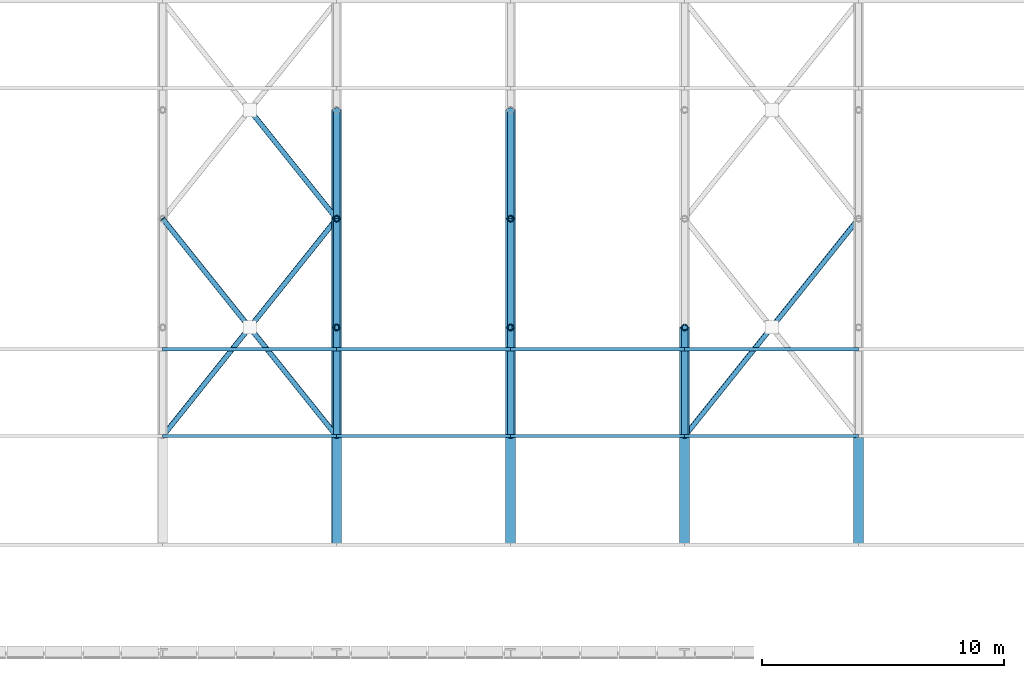
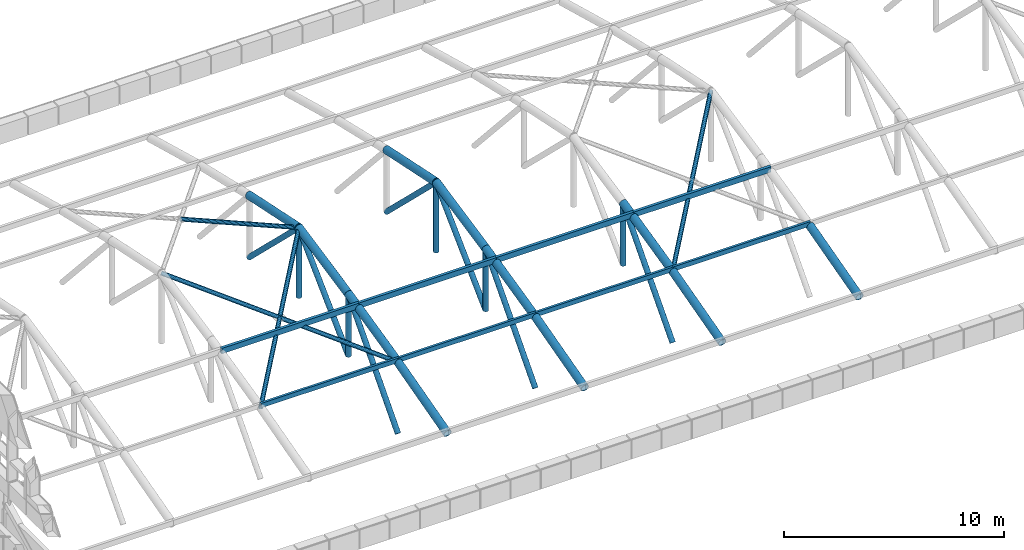
# One storey, part 27 of 96: 36 members.
"""IFC4 building model written with IfcOpenShell, lengths in metres."""

from ifc_helpers import new_model, si_unit, direction, frame, origin, origin_2d, place, context, subcontext, project, spatial, hollow_rectangle, hollow_circle, extrude, material, material_profile, profile_set, type_object, element, save


model = new_model("IFC4")

# Units and contexts
model_context = context("Model", 3, precision=1e-05, world=origin(), true_north=direction((0.0, 1.0)))
body_context = subcontext(model_context, "Body", "Model", "MODEL_VIEW")
ifc_project = project(units=[si_unit("LENGTHUNIT", "METRE"), si_unit("AREAUNIT", "SQUARE_METRE"), si_unit("VOLUMEUNIT", "CUBIC_METRE"), si_unit("PLANEANGLEUNIT", "RADIAN"), si_unit("MASSUNIT", "GRAM", prefix="KILO")], contexts=[model_context])

# Site, building, storey
site_placement = place(None, origin())
site = spatial("IfcSite", under=ifc_project, at=site_placement, CompositionType="ELEMENT")
building_placement = place(site_placement, origin())
building = spatial("IfcBuilding", under=site, at=building_placement, Name="Yarey Park Central Fire Station", CompositionType="ELEMENT")
storey_placement = place(building_placement, frame((0.0, 0.0, 14.39990234375)))
storey = spatial("IfcBuildingStorey", under=building, at=storey_placement, Name="L04", CompositionType="ELEMENT", Elevation=14.39990234375)

# Members
ifc_material = material(Name="Steel ASTM A500 Gr. C", Category="steel")
ifc_material_profile_1 = material_profile(ifc_material, hollow_circle(Radius=0.109619140625, WallThickness=0.010009765625, at=origin_2d()), Name="CHS 219.1x10")
ifc_profile_set_1 = profile_set([ifc_material_profile_1], Name="Steel ASTM A500 Gr. C")
member_type_1 = type_object("IfcMemberType", Name="STR_BRC_CHS219", PredefinedType="BRACE", material=ifc_profile_set_1)
member_1_placement = place(storey_placement, frame((72.0, 66.60009765625, 1.940185546875), z_axis=(0.615531741105, 0.769419894344, 0.170627377286), x_axis=(-0.780870876022, 0.624692464322, 0.0)))
element("IfcMember", 1, at=member_1_placement, inside=storey, type_object=member_type_1, Name="XBR_ARCH_B03_66_1", PredefinedType="BRACE", context=body_context, shape_type="SweptSolid", body=[
    extrude(hollow_circle(Radius=0.109619140625, WallThickness=0.010009765625, at=origin_2d()), origin(), (0.0, 0.0, 1.0), 11.697021484375),
])
member_2_placement = place(storey_placement, frame((79.199951171875, 66.60009765625, 1.940185546875), z_axis=(-0.615520968904, 0.76943251942, 0.170609304843), x_axis=(-0.780881208953, -0.624679547852, 0.0)))
element("IfcMember", 2, at=member_2_placement, inside=storey, type_object=member_type_1, Name="XBR_ARCH_B03_66_2A", PredefinedType="BRACE", context=body_context, shape_type="SweptSolid", body=[
    extrude(hollow_circle(Radius=0.109619140625, WallThickness=0.010009765625, at=origin_2d()), origin(), (0.0, 0.0, 1.0), 5.848388671875),
])
member_3_placement = place(storey_placement, frame((75.60009765625, 71.10009765625, 2.93798828125), z_axis=(-0.615542512582, 0.76940726922, 0.170645449033), x_axis=(-0.780860543151, -0.624705380279, 0.0)))
element("IfcMember", 3, at=member_3_placement, inside=storey, type_object=member_type_1, Name="XBR_ARCH_B03_66_2B", PredefinedType="BRACE", context=body_context, shape_type="SweptSolid", body=[
    extrude(hollow_circle(Radius=0.109619140625, WallThickness=0.010009765625, at=origin_2d()), origin(), (0.0, 0.0, 1.0), 5.8486328125),
])
member_4_placement = place(storey_placement, frame((79.199951171875, 75.60009765625, 3.93603515625), z_axis=(-0.615516584686, 0.769427038924, -0.17064983372), x_axis=(-0.780881208953, -0.624679547852, 0.0)))
element("IfcMember", 4, at=member_4_placement, inside=storey, type_object=member_type_1, Name="XBR_ARCH_B03_75_2A", PredefinedType="BRACE", context=body_context, shape_type="SweptSolid", body=[
    extrude(hollow_circle(Radius=0.109619140625, WallThickness=0.010009765625, at=origin_2d()), origin(), (0.0, 0.0, 1.0), 5.848388671875),
])
member_5_placement = place(storey_placement, frame((93.60009765625, 66.60009765625, 1.940185546875), z_axis=(0.615531741105, 0.769419894344, 0.170627377286), x_axis=(-0.780870876022, 0.624692464322, 0.0)))
element("IfcMember", 5, at=member_5_placement, inside=storey, type_object=member_type_1, Name="XBR_ARCH_B06_66_1", PredefinedType="BRACE", context=body_context, shape_type="SweptSolid", body=[
    extrude(hollow_circle(Radius=0.109619140625, WallThickness=0.010009765625, at=origin_2d()), origin(), (0.0, 0.0, 1.0), 11.697021484375),
])
ifc_material_profile_2 = material_profile(ifc_material, hollow_circle(Radius=0.203125, WallThickness=0.01611328125, at=origin_2d()), Name="CHS 406.4x16")
ifc_profile_set_2 = profile_set([ifc_material_profile_2], Name="Steel ASTM A500 Gr. C")
member_type_2 = type_object("IfcMemberType", Name="STR_CHORD_CHS406", PredefinedType="CHORD", material=ifc_profile_set_2)
member_6_placement = place(storey_placement, frame((79.199951171875, 62.10009765625, 0.717529296875), z_axis=(0.0, 0.965014687101, 0.262195830783), x_axis=(-1.0, 0.0, 0.0)))
element("IfcMember", 6, at=member_6_placement, inside=storey, type_object=member_type_2, Name="Arched Roof Truss ART_04 Top Chord 2", PredefinedType="CHORD", context=body_context, shape_type="SweptSolid", body=[
    extrude(hollow_circle(Radius=0.203125, WallThickness=0.01611328125, at=origin_2d()), origin(), (0.0, 0.0, 1.0), 4.6630859375),
])
member_7_placement = place(storey_placement, frame((79.199951171875, 66.60009765625, 1.940185546875), z_axis=(0.0, 0.97355760432, 0.228441657915), x_axis=(-1.0, 0.0, 0.0)))
element("IfcMember", 7, at=member_7_placement, inside=storey, type_object=member_type_2, Name="Arched Roof Truss ART_04 Top Chord 3", PredefinedType="CHORD", context=body_context, shape_type="SweptSolid", body=[
    extrude(hollow_circle(Radius=0.203125, WallThickness=0.01611328125, at=origin_2d()), origin(), (0.0, 0.0, 1.0), 4.622314453125),
])
for number, where, z_axis, x_axis, name in (
    (8, (79.199951171875, 71.10009765625, 2.99609375), (0.0, 0.978874249501, 0.204463208582), (-1.0, 0.0, 0.0), "Arched Roof Truss ART_04 Top Chord 4"),
    (9, (79.199951171875, 75.60009765625, 3.93603515625), (0.0, 0.978874249501, -0.204463208582), (-1.0, 0.0, 0.0), "Arched Roof Truss ART_04 Top Chord 5"),
):
    element("IfcMember", number, at=place(storey_placement, frame(where, z_axis=z_axis, x_axis=x_axis)), inside=storey, type_object=member_type_2, Name=name, PredefinedType="CHORD", context=body_context, shape_type="SweptSolid", body=[
        extrude(hollow_circle(Radius=0.203125, WallThickness=0.01611328125, at=origin_2d()), origin(), (0.0, 0.0, 1.0), 4.59716796875),
    ])
member_8_placement = place(storey_placement, frame((86.39990234375, 62.10009765625, 0.717529296875), z_axis=(0.0, 0.965014687101, 0.262195830783), x_axis=(-1.0, 0.0, 0.0)))
element("IfcMember", 10, at=member_8_placement, inside=storey, type_object=member_type_2, Name="Arched Roof Truss ART_05 Top Chord 2", PredefinedType="CHORD", context=body_context, shape_type="SweptSolid", body=[
    extrude(hollow_circle(Radius=0.203125, WallThickness=0.01611328125, at=origin_2d()), origin(), (0.0, 0.0, 1.0), 4.6630859375),
])
member_9_placement = place(storey_placement, frame((86.39990234375, 66.60009765625, 1.940185546875), z_axis=(0.0, 0.97355760432, 0.228441657915), x_axis=(-1.0, 0.0, 0.0)))
element("IfcMember", 11, at=member_9_placement, inside=storey, type_object=member_type_2, Name="Arched Roof Truss ART_05 Top Chord 3", PredefinedType="CHORD", context=body_context, shape_type="SweptSolid", body=[
    extrude(hollow_circle(Radius=0.203125, WallThickness=0.01611328125, at=origin_2d()), origin(), (0.0, 0.0, 1.0), 4.622314453125),
])
for number, where, z_axis, x_axis, name in (
    (12, (86.39990234375, 71.10009765625, 2.99609375), (0.0, 0.978874249501, 0.204463208582), (-1.0, 0.0, 0.0), "Arched Roof Truss ART_05 Top Chord 4"),
    (13, (86.39990234375, 75.60009765625, 3.93603515625), (0.0, 0.978874249501, -0.204463208582), (-1.0, 0.0, 0.0), "Arched Roof Truss ART_05 Top Chord 5"),
):
    element("IfcMember", number, at=place(storey_placement, frame(where, z_axis=z_axis, x_axis=x_axis)), inside=storey, type_object=member_type_2, Name=name, PredefinedType="CHORD", context=body_context, shape_type="SweptSolid", body=[
        extrude(hollow_circle(Radius=0.203125, WallThickness=0.01611328125, at=origin_2d()), origin(), (0.0, 0.0, 1.0), 4.59716796875),
    ])
member_10_placement = place(storey_placement, frame((93.60009765625, 62.10009765625, 0.717529296875), z_axis=(0.0, 0.965014687101, 0.262195830783), x_axis=(-1.0, 0.0, 0.0)))
element("IfcMember", 14, at=member_10_placement, inside=storey, type_object=member_type_2, Name="Arched Roof Truss ART_06 Top Chord 2", PredefinedType="CHORD", context=body_context, shape_type="SweptSolid", body=[
    extrude(hollow_circle(Radius=0.203125, WallThickness=0.01611328125, at=origin_2d()), origin(), (0.0, 0.0, 1.0), 4.6630859375),
])
member_11_placement = place(storey_placement, frame((93.60009765625, 66.60009765625, 1.940185546875), z_axis=(0.0, 0.97355760432, 0.228441657915), x_axis=(-1.0, 0.0, 0.0)))
element("IfcMember", 15, at=member_11_placement, inside=storey, type_object=member_type_2, Name="Arched Roof Truss ART_06 Top Chord 3", PredefinedType="CHORD", context=body_context, shape_type="SweptSolid", body=[
    extrude(hollow_circle(Radius=0.203125, WallThickness=0.01611328125, at=origin_2d()), origin(), (0.0, 0.0, 1.0), 4.622314453125),
])
member_12_placement = place(storey_placement, frame((100.800048828125, 62.10009765625, 0.717529296875), z_axis=(0.0, 0.965014687101, 0.262195830783), x_axis=(-1.0, 0.0, 0.0)))
element("IfcMember", 16, at=member_12_placement, inside=storey, type_object=member_type_2, Name="Arched Roof Truss ART_07 Top Chord 2", PredefinedType="CHORD", context=body_context, shape_type="SweptSolid", body=[
    extrude(hollow_circle(Radius=0.203125, WallThickness=0.01611328125, at=origin_2d()), origin(), (0.0, 0.0, 1.0), 4.6630859375),
])
ifc_material_profile_3 = material_profile(ifc_material, hollow_rectangle(XDim=0.125, YDim=0.25, WallThickness=0.008056640625, at=origin_2d()), Name="HSS 250x125x8")
ifc_profile_set_3 = profile_set([ifc_material_profile_3], Name="Steel ASTM A500 Gr. C")
member_type_3 = type_object("IfcMemberType", Name="STR_GIRT_HSS250", PredefinedType="PURLIN", material=ifc_profile_set_3)
for number, where, z_axis, x_axis, name in (
    (17, (72.0, 66.60009765625, 2.0791015625), (1.0, 0.0, 0.0), (0.0, 1.0, 0.0), "PUR_ARCH_B03_2"),
    (18, (79.199951171875, 66.60009765625, 2.0791015625), (1.0, 0.0, 0.0), (0.0, 1.0, 0.0), "PUR_ARCH_B04_2"),
):
    element("IfcMember", number, at=place(storey_placement, frame(where, z_axis=z_axis, x_axis=x_axis)), inside=storey, type_object=member_type_3, Name=name, PredefinedType="PURLIN", context=body_context, shape_type="SweptSolid", body=[
        extrude(hollow_rectangle(XDim=0.125, YDim=0.25, WallThickness=0.008056640625, at=origin_2d()), origin(), (0.0, 0.0, 1.0), 7.199951171875),
    ])
member_13_placement = place(storey_placement, frame((86.39990234375, 66.60009765625, 2.0791015625), z_axis=(1.0, 0.0, 0.0), x_axis=(0.0, 1.0, 0.0)))
element("IfcMember", 19, at=member_13_placement, inside=storey, type_object=member_type_3, Name="PUR_ARCH_B05_2", PredefinedType="PURLIN", context=body_context, shape_type="SweptSolid", body=[
    extrude(hollow_rectangle(XDim=0.125, YDim=0.25, WallThickness=0.008056640625, at=origin_2d()), origin(), (0.0, 0.0, 1.0), 7.2001953125),
])
member_14_placement = place(storey_placement, frame((93.60009765625, 66.60009765625, 2.0791015625), z_axis=(1.0, 0.0, 0.0), x_axis=(0.0, 1.0, 0.0)))
element("IfcMember", 20, at=member_14_placement, inside=storey, type_object=member_type_3, Name="PUR_ARCH_B06_2", PredefinedType="PURLIN", context=body_context, shape_type="SweptSolid", body=[
    extrude(hollow_rectangle(XDim=0.125, YDim=0.25, WallThickness=0.008056640625, at=origin_2d()), origin(), (0.0, 0.0, 1.0), 7.199951171875),
])
ifc_material_profile_4 = material_profile(ifc_material, hollow_rectangle(XDim=0.14990234375, YDim=0.300048828125, WallThickness=0.010009765625, at=origin_2d()), Name="HSS 300x150x10")
ifc_profile_set_4 = profile_set([ifc_material_profile_4], Name="Steel ASTM A500 Gr. C")
member_type_4 = type_object("IfcMemberType", Name="STR_PUR_HSS300", PredefinedType="PURLIN", material=ifc_profile_set_4)
for number, where, z_axis, x_axis, name in (
    (21, (72.0, 70.199951171875, 2.922119140625), (1.0, 0.0, 0.0), (0.0, 1.0, 0.0), "PUR_ARCH_B03_3"),
    (22, (79.199951171875, 70.199951171875, 2.922119140625), (1.0, 0.0, 0.0), (0.0, 1.0, 0.0), "PUR_ARCH_B04_3"),
):
    element("IfcMember", number, at=place(storey_placement, frame(where, z_axis=z_axis, x_axis=x_axis)), inside=storey, type_object=member_type_4, Name=name, PredefinedType="PURLIN", context=body_context, shape_type="SweptSolid", body=[
        extrude(hollow_rectangle(XDim=0.14990234375, YDim=0.300048828125, WallThickness=0.010009765625, at=origin_2d()), origin(), (0.0, 0.0, 1.0), 7.199951171875),
    ])
member_15_placement = place(storey_placement, frame((86.39990234375, 70.199951171875, 2.922119140625), z_axis=(1.0, 0.0, 0.0), x_axis=(0.0, 1.0, 0.0)))
element("IfcMember", 23, at=member_15_placement, inside=storey, type_object=member_type_4, Name="PUR_ARCH_B05_3", PredefinedType="PURLIN", context=body_context, shape_type="SweptSolid", body=[
    extrude(hollow_rectangle(XDim=0.14990234375, YDim=0.300048828125, WallThickness=0.010009765625, at=origin_2d()), origin(), (0.0, 0.0, 1.0), 7.2001953125),
])
member_16_placement = place(storey_placement, frame((93.60009765625, 70.199951171875, 2.922119140625), z_axis=(1.0, 0.0, 0.0), x_axis=(0.0, 1.0, 0.0)))
element("IfcMember", 24, at=member_16_placement, inside=storey, type_object=member_type_4, Name="PUR_ARCH_B06_3", PredefinedType="PURLIN", context=body_context, shape_type="SweptSolid", body=[
    extrude(hollow_rectangle(XDim=0.14990234375, YDim=0.300048828125, WallThickness=0.010009765625, at=origin_2d()), origin(), (0.0, 0.0, 1.0), 7.199951171875),
])
ifc_material_profile_5 = material_profile(ifc_material, hollow_circle(Radius=0.136474609375, WallThickness=0.012451171875, at=origin_2d()), Name="CHS 273x12.5")
ifc_profile_set_5 = profile_set([ifc_material_profile_5], Name="Steel ASTM A500 Gr. C")
member_type_5 = type_object("IfcMemberType", Name="STR_WEB_CHS273", PredefinedType="BRACE", material=ifc_profile_set_5)
member_17_placement = place(storey_placement, frame((79.199951171875, 66.60009765625, -2.02490234375), z_axis=(0.0, 0.667414870686, 0.744686101916), x_axis=(-1.0, 0.0, 0.0)))
element("IfcMember", 25, at=member_17_placement, inside=storey, type_object=member_type_5, Name="Arched Roof Truss ART_04 Diagonal 3", PredefinedType="BRACE", context=body_context, shape_type="SweptSolid", body=[
    extrude(hollow_circle(Radius=0.136474609375, WallThickness=0.012451171875, at=origin_2d()), origin(), (0.0, 0.0, 1.0), 6.742431640625),
])
for number, where, z_axis, x_axis, name in (
    (26, (79.199951171875, 71.10009765625, -0.43115234375), (0.0, 0.717617317355, 0.696437639586), (-1.0, 0.0, 0.0), "Arched Roof Truss ART_04 Diagonal 4"),
    (27, (79.199951171875, 75.60009765625, 3.93603515625), (0.0, 0.717617317355, -0.696437639586), (-1.0, 0.0, 0.0), "Arched Roof Truss ART_04 Diagonal 5"),
):
    element("IfcMember", number, at=place(storey_placement, frame(where, z_axis=z_axis, x_axis=x_axis)), inside=storey, type_object=member_type_5, Name=name, PredefinedType="BRACE", context=body_context, shape_type="SweptSolid", body=[
        extrude(hollow_circle(Radius=0.136474609375, WallThickness=0.012451171875, at=origin_2d()), origin(), (0.0, 0.0, 1.0), 6.270751953125),
    ])
member_18_placement = place(storey_placement, frame((79.199951171875, 71.10009765625, -0.43115234375), z_axis=(0.0, 0.0, 1.0), x_axis=(1.0, 0.0, 0.0)))
element("IfcMember", 28, at=member_18_placement, inside=storey, type_object=member_type_5, Name="Arched Roof Truss ART_04 Vertical 4", PredefinedType="BRACE", context=body_context, shape_type="SweptSolid", body=[
    extrude(hollow_circle(Radius=0.136474609375, WallThickness=0.012451171875, at=origin_2d()), origin(), (0.0, 0.0, 1.0), 3.42724609375),
])
member_19_placement = place(storey_placement, frame((79.199951171875, 75.60009765625, 0.10009765625), z_axis=(0.0, 0.0, 1.0), x_axis=(1.0, 0.0, 0.0)))
element("IfcMember", 29, at=member_19_placement, inside=storey, type_object=member_type_5, Name="Arched Roof Truss ART_04 Vertical 5", PredefinedType="BRACE", context=body_context, shape_type="SweptSolid", body=[
    extrude(hollow_circle(Radius=0.136474609375, WallThickness=0.012451171875, at=origin_2d()), origin(), (0.0, 0.0, 1.0), 3.8359375),
])
member_20_placement = place(storey_placement, frame((86.39990234375, 66.60009765625, -2.02490234375), z_axis=(0.0, 0.667414870686, 0.744686101916), x_axis=(-1.0, 0.0, 0.0)))
element("IfcMember", 30, at=member_20_placement, inside=storey, type_object=member_type_5, Name="Arched Roof Truss ART_05 Diagonal 3", PredefinedType="BRACE", context=body_context, shape_type="SweptSolid", body=[
    extrude(hollow_circle(Radius=0.136474609375, WallThickness=0.012451171875, at=origin_2d()), origin(), (0.0, 0.0, 1.0), 6.742431640625),
])
for number, where, z_axis, x_axis, name in (
    (31, (86.39990234375, 71.10009765625, -0.43115234375), (0.0, 0.717617317355, 0.696437639586), (-1.0, 0.0, 0.0), "Arched Roof Truss ART_05 Diagonal 4"),
    (32, (86.39990234375, 75.60009765625, 3.93603515625), (0.0, 0.717617317355, -0.696437639586), (-1.0, 0.0, 0.0), "Arched Roof Truss ART_05 Diagonal 5"),
):
    element("IfcMember", number, at=place(storey_placement, frame(where, z_axis=z_axis, x_axis=x_axis)), inside=storey, type_object=member_type_5, Name=name, PredefinedType="BRACE", context=body_context, shape_type="SweptSolid", body=[
        extrude(hollow_circle(Radius=0.136474609375, WallThickness=0.012451171875, at=origin_2d()), origin(), (0.0, 0.0, 1.0), 6.270751953125),
    ])
member_21_placement = place(storey_placement, frame((86.39990234375, 71.10009765625, -0.43115234375), z_axis=(0.0, 0.0, 1.0), x_axis=(1.0, 0.0, 0.0)))
element("IfcMember", 33, at=member_21_placement, inside=storey, type_object=member_type_5, Name="Arched Roof Truss ART_05 Vertical 4", PredefinedType="BRACE", context=body_context, shape_type="SweptSolid", body=[
    extrude(hollow_circle(Radius=0.136474609375, WallThickness=0.012451171875, at=origin_2d()), origin(), (0.0, 0.0, 1.0), 3.42724609375),
])
member_22_placement = place(storey_placement, frame((86.39990234375, 75.60009765625, 0.10009765625), z_axis=(0.0, 0.0, 1.0), x_axis=(1.0, 0.0, 0.0)))
element("IfcMember", 34, at=member_22_placement, inside=storey, type_object=member_type_5, Name="Arched Roof Truss ART_05 Vertical 5", PredefinedType="BRACE", context=body_context, shape_type="SweptSolid", body=[
    extrude(hollow_circle(Radius=0.136474609375, WallThickness=0.012451171875, at=origin_2d()), origin(), (0.0, 0.0, 1.0), 3.8359375),
])
member_23_placement = place(storey_placement, frame((93.60009765625, 66.60009765625, -2.02490234375), z_axis=(0.0, 0.667414870686, 0.744686101916), x_axis=(-1.0, 0.0, 0.0)))
element("IfcMember", 35, at=member_23_placement, inside=storey, type_object=member_type_5, Name="Arched Roof Truss ART_06 Diagonal 3", PredefinedType="BRACE", context=body_context, shape_type="SweptSolid", body=[
    extrude(hollow_circle(Radius=0.136474609375, WallThickness=0.012451171875, at=origin_2d()), origin(), (0.0, 0.0, 1.0), 6.742431640625),
])
member_24_placement = place(storey_placement, frame((93.60009765625, 71.10009765625, -0.43115234375), z_axis=(0.0, 0.0, 1.0), x_axis=(1.0, 0.0, 0.0)))
element("IfcMember", 36, at=member_24_placement, inside=storey, type_object=member_type_5, Name="Arched Roof Truss ART_06 Vertical 4", PredefinedType="BRACE", context=body_context, shape_type="SweptSolid", body=[
    extrude(hollow_circle(Radius=0.136474609375, WallThickness=0.012451171875, at=origin_2d()), origin(), (0.0, 0.0, 1.0), 3.42724609375),
])

save(model, "model.ifc")
